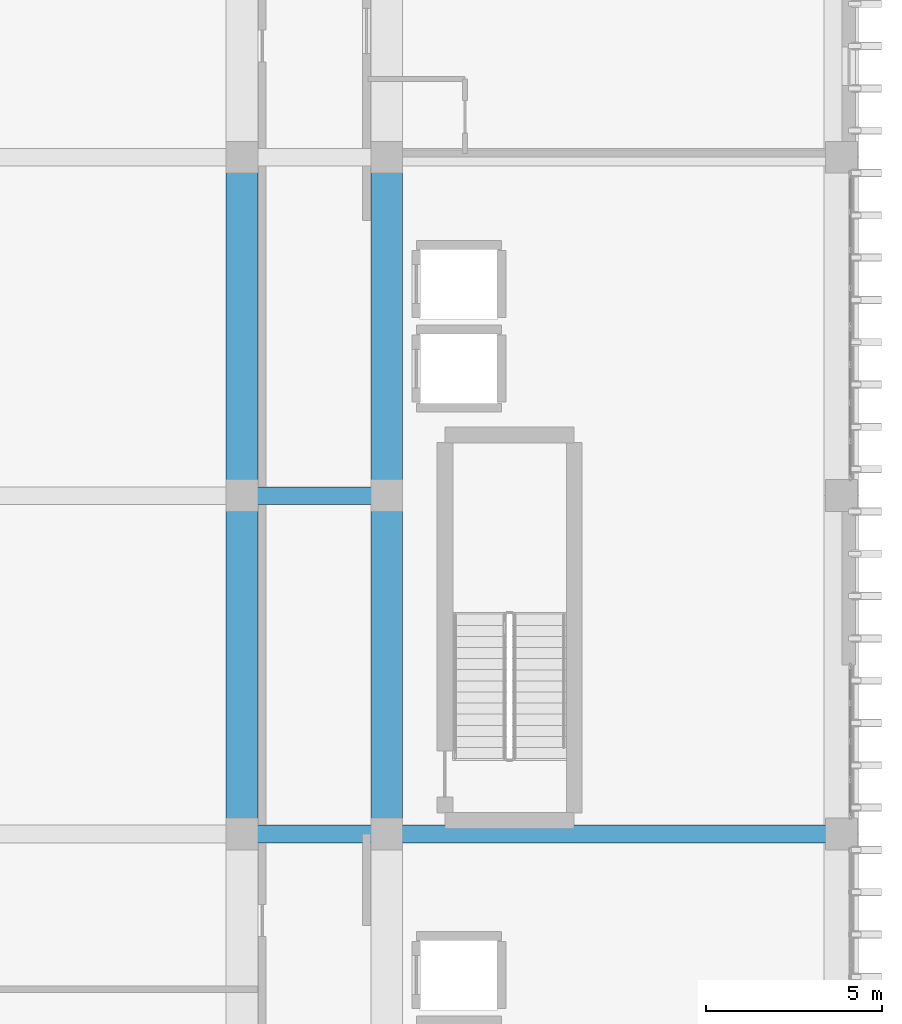
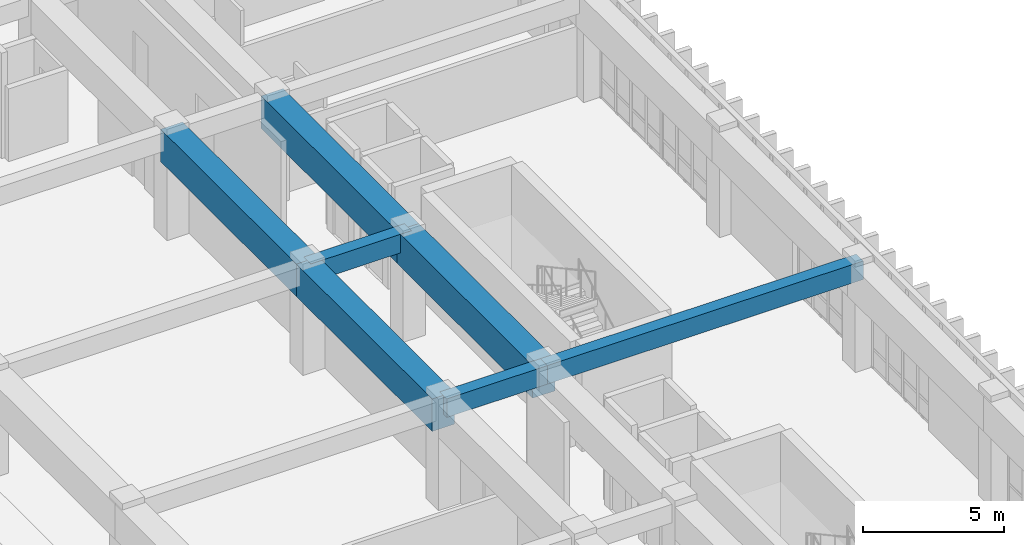
# One storey, part 41 of 101: 7 beams.
"""IFC4 building model written with IfcOpenShell, lengths in metres."""

from ifc_helpers import new_model, si_unit, direction, frame, origin, origin_2d, place, context, subcontext, project, spatial, rectangle, extrude, material, material_profile, profile_set, type_object, element, save


model = new_model("IFC4")

# Units and contexts
model_context = context("Model", 3, precision=1e-05, world=origin(), true_north=direction((0.0, 1.0)))
body_context = subcontext(model_context, "Body", "Model", "MODEL_VIEW")
ifc_project = project(units=[si_unit("LENGTHUNIT", "METRE"), si_unit("AREAUNIT", "SQUARE_METRE"), si_unit("VOLUMEUNIT", "CUBIC_METRE"), si_unit("PLANEANGLEUNIT", "RADIAN"), si_unit("MASSUNIT", "GRAM", prefix="KILO")], contexts=[model_context])

# Site, building, storey
site_placement = place(None, origin())
site = spatial("IfcSite", under=ifc_project, at=site_placement, CompositionType="ELEMENT")
building_placement = place(site_placement, origin())
building = spatial("IfcBuilding", under=site, at=building_placement, Name="Nakhvara Creek Congress Hotel", CompositionType="ELEMENT")
storey_placement = place(building_placement, frame((0.0, 0.0, 16.199951171875)))
storey = spatial("IfcBuildingStorey", under=building, at=storey_placement, Name="L03", CompositionType="ELEMENT", Elevation=16.199951171875)

# Beams
ifc_material_1 = material(Name="Concrete C40/50", Category="concrete")
ifc_material_profile_1 = material_profile(ifc_material_1, rectangle(XDim=0.5, YDim=0.800048828125, at=origin_2d()), Name="RC-BM 500x800", Category="LoadBearing")
ifc_profile_set_1 = profile_set([ifc_material_profile_1], Name="Concrete C40/50")
beam_type_1 = type_object("IfcBeamType", Name="BM-RC-500X800", PredefinedType="BEAM", material=ifc_profile_set_1)
for number, where, z_axis, x_axis, name in (
    (1, (162.35009765625, 48.0, 4.14013671875), (1.0, 0.0, 0.0), (0.0, 1.0, 0.0), "Beam B03-L03-1855"),
    (2, (162.35009765625, 57.60009765625, 4.14013671875), (1.0, 0.0, 0.0), (0.0, 1.0, 0.0), "Beam B03-L03-1857"),
):
    element("IfcBeam", number, at=place(storey_placement, frame(where, z_axis=z_axis, x_axis=x_axis)), inside=storey, type_object=beam_type_1, Name=name, PredefinedType="BEAM", context=body_context, shape_type="SweptSolid", body=[
        extrude(rectangle(XDim=0.5, YDim=0.800048828125, at=origin_2d()), origin(), (0.0, 0.0, 1.0), 4.099853515625),
    ])
beam_1_placement = place(storey_placement, frame((166.449951171875, 48.0, 4.14013671875), z_axis=(1.0, 0.0, 0.0), x_axis=(0.0, 1.0, 0.0)))
element("IfcBeam", 3, at=beam_1_placement, inside=storey, type_object=beam_type_1, Name="Beam B03-L03-1881", PredefinedType="BEAM", context=body_context, shape_type="SweptSolid", body=[
    extrude(rectangle(XDim=0.5, YDim=0.800048828125, at=origin_2d()), origin(), (0.0, 0.0, 1.0), 12.900146484375),
])
ifc_material_2 = material(Name="Concrete C50/60", Category="concrete")
ifc_material_profile_2 = material_profile(ifc_material_2, rectangle(XDim=0.89990234375, YDim=1.39990234375, at=origin_2d()), Name="RC-TG 900x1400", Category="LoadBearing")
ifc_profile_set_2 = profile_set([ifc_material_profile_2], Name="Concrete C50/60")
beam_type_2 = type_object("IfcBeamType", Name="BM-TG1-1400", PredefinedType="BEAM", material=ifc_profile_set_2)
beam_2_placement = place(storey_placement, frame((162.35009765625, 48.0, 3.840087890625), z_axis=(0.0, 1.0, 0.0), x_axis=(-1.0, 0.0, 0.0)))
element("IfcBeam", 4, at=beam_2_placement, inside=storey, type_object=beam_type_2, Name="Transfer Girder TG1-L03-1854", PredefinedType="BEAM", context=body_context, shape_type="SweptSolid", body=[
    extrude(rectangle(XDim=0.89990234375, YDim=1.39990234375, at=origin_2d()), origin(), (0.0, 0.0, 1.0), 9.60009765625),
])
beam_3_placement = place(storey_placement, frame((162.35009765625, 57.60009765625, 3.840087890625), z_axis=(0.0, 1.0, 0.0), x_axis=(-1.0, 0.0, 0.0)))
element("IfcBeam", 5, at=beam_3_placement, inside=storey, type_object=beam_type_2, Name="Transfer Girder TG1-L03-1856", PredefinedType="BEAM", context=body_context, shape_type="SweptSolid", body=[
    extrude(rectangle(XDim=0.89990234375, YDim=1.39990234375, at=origin_2d()), origin(), (0.0, 0.0, 1.0), 9.599853515625),
])
beam_4_placement = place(storey_placement, frame((166.449951171875, 48.0, 3.840087890625), z_axis=(0.0, 1.0, 0.0), x_axis=(-1.0, 0.0, 0.0)))
element("IfcBeam", 6, at=beam_4_placement, inside=storey, type_object=beam_type_2, Name="Transfer Girder TG1-L03-1880", PredefinedType="BEAM", context=body_context, shape_type="SweptSolid", body=[
    extrude(rectangle(XDim=0.89990234375, YDim=1.39990234375, at=origin_2d()), origin(), (0.0, 0.0, 1.0), 9.60009765625),
])
beam_5_placement = place(storey_placement, frame((166.449951171875, 57.60009765625, 3.840087890625), z_axis=(0.0, 1.0, 0.0), x_axis=(-1.0, 0.0, 0.0)))
element("IfcBeam", 7, at=beam_5_placement, inside=storey, type_object=beam_type_2, Name="Transfer Girder TG1-L03-1882", PredefinedType="BEAM", context=body_context, shape_type="SweptSolid", body=[
    extrude(rectangle(XDim=0.89990234375, YDim=1.39990234375, at=origin_2d()), origin(), (0.0, 0.0, 1.0), 9.599853515625),
])

save(model, "model.ifc")
